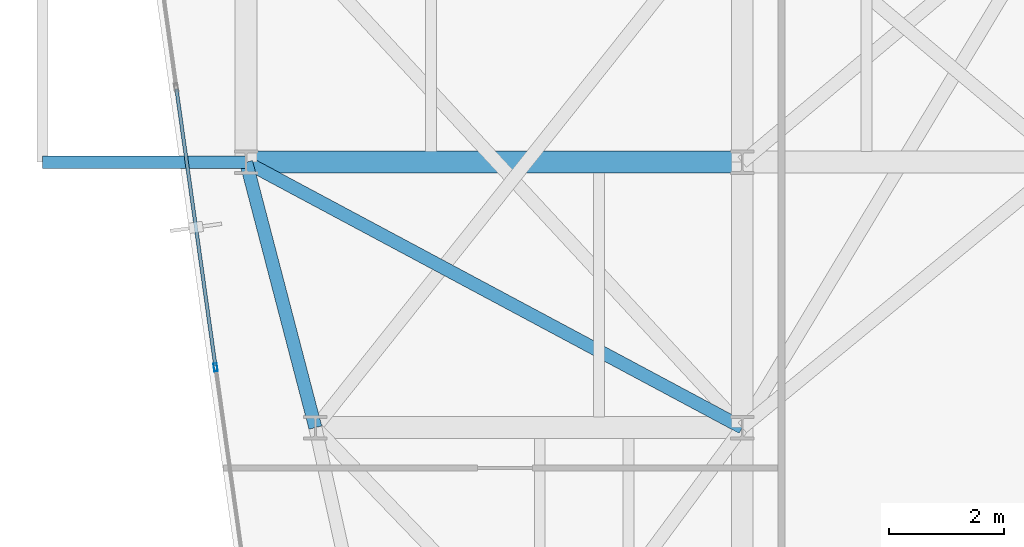
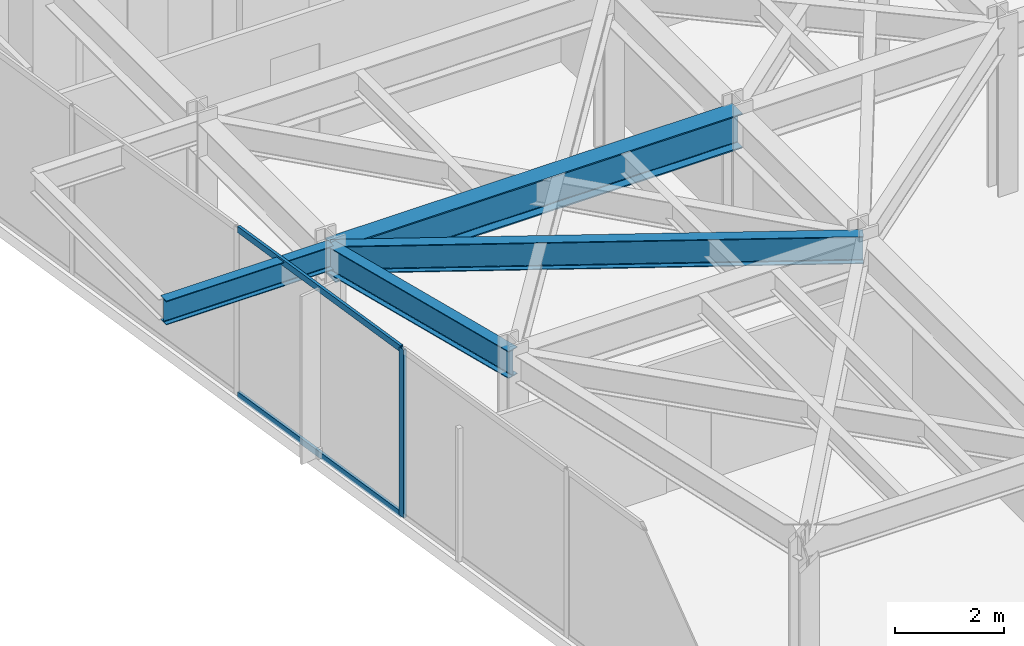
# One storey, part 4 of 26: 4 beams, 3 members, 1 element without a shape of its own.
"""IFC4 building model written with IfcOpenShell, lengths in metres."""

from ifc_helpers import new_model, si_unit, direction, frame, origin, origin_2d, place, context, subcontext, project, spatial, hollow_rectangle, i_section, extrude, material, layer, layer_set, material_profile, profile_set, type_object, element, aggregate, save


model = new_model("IFC4")

# Units and contexts
model_context = context("Model", 3, precision=1e-05, world=origin(), true_north=direction((0.0, 1.0)))
body_context = subcontext(model_context, "Body", "Model", "MODEL_VIEW")
ifc_project = project(units=[si_unit("LENGTHUNIT", "METRE"), si_unit("AREAUNIT", "SQUARE_METRE"), si_unit("VOLUMEUNIT", "CUBIC_METRE"), si_unit("PLANEANGLEUNIT", "RADIAN"), si_unit("MASSUNIT", "GRAM", prefix="KILO")], contexts=[model_context])

# Site, building, storey
site_placement = place(None, origin())
site = spatial("IfcSite", under=ifc_project, at=site_placement, CompositionType="ELEMENT")
building_placement = place(site_placement, origin())
building = spatial("IfcBuilding", under=site, at=building_placement, Name="Kravanh Interchange Tower", CompositionType="ELEMENT")
storey_placement = place(building_placement, frame((0.0, 0.0, 172.5)))
storey = spatial("IfcBuildingStorey", under=building, at=storey_placement, Name="L41", CompositionType="ELEMENT", Elevation=172.5)

# Curtain wall, members
ifc_material_1 = material(Name="Anodised Bronze Aluminium", Category="aluminium")
ifc_layer = layer(ifc_material_1, 0.179931640625)
ifc_layer_set = layer_set([ifc_layer], Name="Unitised Curtain Wall System CW-Z3 Upper Office")
curtain_wall_type = type_object("IfcCurtainWallType", Name="Unitised Curtain Wall System CW-Z3 Upper Office", PredefinedType="NOTDEFINED", material=ifc_layer_set)
curtain_wall_placement = place(storey_placement, origin())
curtain_wall = element("IfcCurtainWall", 1, at=curtain_wall_placement, inside=storey, type_object=curtain_wall_type, Name="L41 Unitised Curtain Wall CW-L41-01", PredefinedType="NOTDEFINED")
ifc_material_2 = material(Name="Anodised Bronze Aluminium", Category="aluminium")
ifc_material_profile_1 = material_profile(ifc_material_2, hollow_rectangle(XDim=0.06005859375, YDim=0.139892578125, WallThickness=0.00390625, at=origin_2d()), Name="ALU60X140X4")
ifc_profile_set_1 = profile_set([ifc_material_profile_1], Name="Anodised Bronze Aluminium")
member_type_1 = type_object("IfcMemberType", Name="Curtain Wall Mullion ALU60X140X4 Bronze", PredefinedType="MULLION", material=ifc_profile_set_1)
member_1_placement = place(storey_placement, frame((18.070556640625, 23.244384765625, 0.0), z_axis=(0.0, 0.0, 1.0), x_axis=(-0.990268194035, -0.139172209446, 0.0)))
member_1 = element("IfcMember", 2, at=member_1_placement, type_object=member_type_1, Name="CW-Z3 mullion 3", PredefinedType="MULLION", context=body_context, shape_type="SweptSolid", body=[
    extrude(hollow_rectangle(XDim=0.06005859375, YDim=0.139892578125, WallThickness=0.00390625, at=origin_2d()), origin(), (0.0, 0.0, 1.0), 3.7548828125),
])
ifc_material_3 = material(Name="Anodised Bronze Aluminium", Category="aluminium")
ifc_material_profile_2 = material_profile(ifc_material_3, hollow_rectangle(XDim=0.06005859375, YDim=0.139892578125, WallThickness=0.00390625, at=origin_2d()), Name="ALU60X140X4")
ifc_profile_set_2 = profile_set([ifc_material_profile_2], Name="Anodised Bronze Aluminium")
member_type_2 = type_object("IfcMemberType", Name="Curtain Wall Transom ALU60X140X4 Bronze", PredefinedType="USERDEFINED", material=ifc_profile_set_2)
member_2_placement = place(storey_placement, frame((18.06640625, 23.274169921875, 0.030029296875), z_axis=(-0.139182174391, 0.990266793512, 0.0), x_axis=(-0.990266793512, -0.139182174391, 0.0)))
member_2 = element("IfcMember", 3, at=member_2_placement, type_object=member_type_2, Name="CW-Z3 transom 3.1", ObjectType="TRANSOM", PredefinedType="USERDEFINED", context=body_context, shape_type="SweptSolid", body=[
    extrude(hollow_rectangle(XDim=0.06005859375, YDim=0.139892578125, WallThickness=0.00390625, at=origin_2d()), origin(), (0.0, 0.0, 1.0), 4.839599609375),
])
member_3_placement = place(storey_placement, frame((18.06640625, 23.274169921875, 3.72509765625), z_axis=(-0.139182174391, 0.990266793512, 0.0), x_axis=(-0.990266793512, -0.139182174391, 0.0)))
member_3 = element("IfcMember", 4, at=member_3_placement, type_object=member_type_2, Name="CW-Z3 transom 3.2", ObjectType="TRANSOM", PredefinedType="USERDEFINED", context=body_context, shape_type="SweptSolid", body=[
    extrude(hollow_rectangle(XDim=0.06005859375, YDim=0.139892578125, WallThickness=0.00390625, at=origin_2d()), origin(), (0.0, 0.0, 1.0), 4.839599609375),
])
aggregate(curtain_wall, [member_1, member_2, member_3])

# Beams
ifc_material_4 = material(Name="Structural Steel S355", Category="steel")
ifc_material_profile_3 = material_profile(ifc_material_4, i_section(OverallWidth=0.381103515625, OverallDepth=0.77294921875, WebThickness=0.0166015625, FlangeThickness=0.027099609375, FilletRadius=0.02490234375, at=origin_2d()), Name="W30X173")
ifc_profile_set_3 = profile_set([ifc_material_profile_3], Name="Structural Steel S355")
beam_type_1 = type_object("IfcBeamType", Name="Floor Beam W30X173 Structural Steel S355", PredefinedType="BEAM", material=ifc_profile_set_3)
beam_1_placement = place(storey_placement, frame((18.60009765625, 26.800048828125, 3.368408203125), z_axis=(1.0, 0.0, 0.0), x_axis=(0.0, 1.0, 0.0)))
element("IfcBeam", 5, at=beam_1_placement, inside=storey, type_object=beam_type_1, Name="L41 Primary Floor Girder 35", PredefinedType="BEAM", context=body_context, shape_type="SweptSolid", body=[
    extrude(i_section(OverallWidth=0.381103515625, OverallDepth=0.77294921875, WebThickness=0.0166015625, FlangeThickness=0.027099609375, FilletRadius=0.02490234375, at=origin_2d()), origin(), (0.0, 0.0, 1.0), 8.599853515625),
])
ifc_material_5 = material(Name="Structural Steel S355", Category="steel")
ifc_material_profile_4 = material_profile(ifc_material_5, i_section(OverallWidth=0.2099609375, OverallDepth=0.537109375, WebThickness=0.010986328125, FlangeThickness=0.017333984375, FilletRadius=0.02001953125, at=origin_2d()), Name="W21X68")
ifc_profile_set_4 = profile_set([ifc_material_profile_4], Name="Structural Steel S355")
beam_type_2 = type_object("IfcBeamType", Name="Floor Spandrel W21X68 Structural Steel S355", PredefinedType="SPANDREL", material=ifc_profile_set_4)
beam_2_placement = place(storey_placement, frame((18.60009765625, 26.800048828125, 3.486572265625), z_axis=(-1.0, 0.0, 0.0), x_axis=(0.0, -1.0, 0.0)))
element("IfcBeam", 6, at=beam_2_placement, inside=storey, type_object=beam_type_2, Name="L41 Balcony Cantilever Outrigger W1", PredefinedType="SPANDREL", context=body_context, shape_type="SweptSolid", body=[
    extrude(i_section(OverallWidth=0.2099609375, OverallDepth=0.537109375, WebThickness=0.010986328125, FlangeThickness=0.017333984375, FilletRadius=0.02001953125, at=origin_2d()), origin(), (0.0, 0.0, 1.0), 3.530029296875),
])
ifc_material_6 = material(Name="Structural Steel S355", Category="steel")
ifc_material_profile_5 = material_profile(ifc_material_6, i_section(OverallWidth=0.22802734375, OverallDepth=0.60791015625, WebThickness=0.01123046875, FlangeThickness=0.017333984375, FilletRadius=0.02197265625, at=origin_2d()), Name="W24X76")
ifc_profile_set_5 = profile_set([ifc_material_profile_5], Name="Structural Steel S355")
beam_type_3 = type_object("IfcBeamType", Name="Floor Spandrel W24X76 Structural Steel S355", PredefinedType="SPANDREL", material=ifc_profile_set_5)
beam_3_placement = place(storey_placement, frame((18.60009765625, 26.800048828125, 3.450927734375), z_axis=(0.252407263364, -0.967621089787, 0.0), x_axis=(0.967621089787, 0.252407263364, 0.0)))
element("IfcBeam", 7, at=beam_3_placement, inside=storey, type_object=beam_type_3, Name="L41 Perimeter Spandrel 34", PredefinedType="SPANDREL", context=body_context, shape_type="SweptSolid", body=[
    extrude(i_section(OverallWidth=0.22802734375, OverallDepth=0.60791015625, WebThickness=0.01123046875, FlangeThickness=0.017333984375, FilletRadius=0.02197265625, at=origin_2d()), origin(), (0.0, 0.0, 1.0), 4.75390625),
])
beam_4_placement = place(storey_placement, frame((18.60009765625, 26.800048828125, 3.450927734375), z_axis=(0.881777136221, -0.471666282489, 0.0), x_axis=(0.471666282489, 0.881777136221, 0.0)))
element("IfcBeam", 8, at=beam_4_placement, inside=storey, type_object=beam_type_3, Name="L41 Perimeter Spandrel 36", PredefinedType="SPANDREL", context=body_context, shape_type="SweptSolid", body=[
    extrude(i_section(OverallWidth=0.22802734375, OverallDepth=0.60791015625, WebThickness=0.01123046875, FlangeThickness=0.017333984375, FilletRadius=0.02197265625, at=origin_2d()), origin(), (0.0, 0.0, 1.0), 9.7529296875),
])

save(model, "model.ifc")
